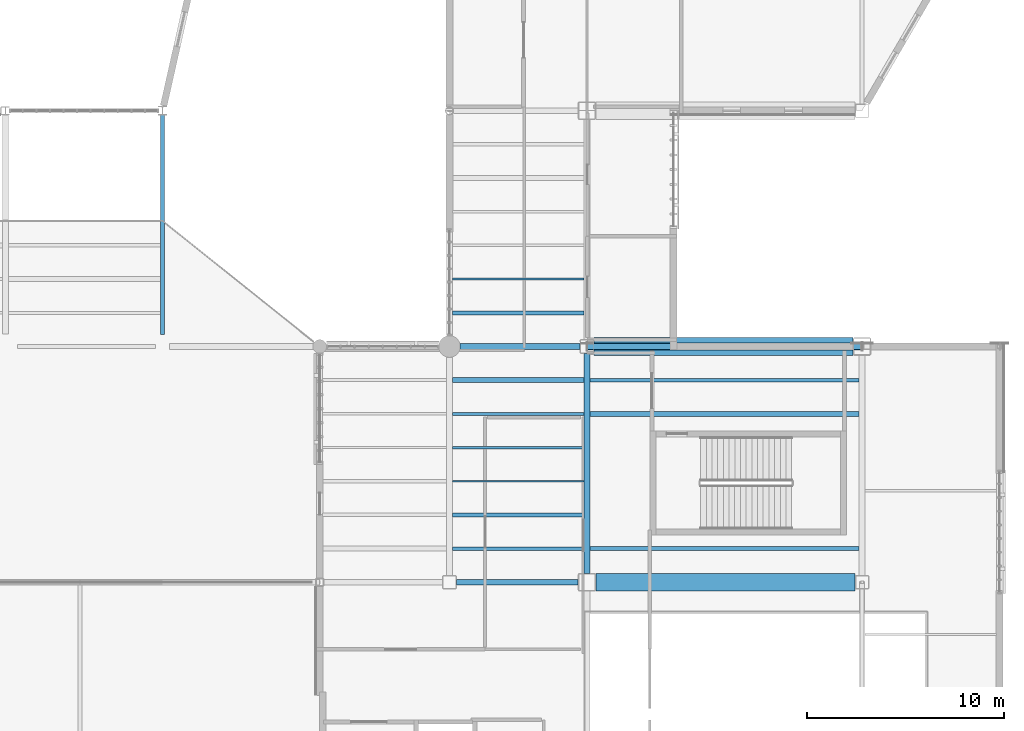
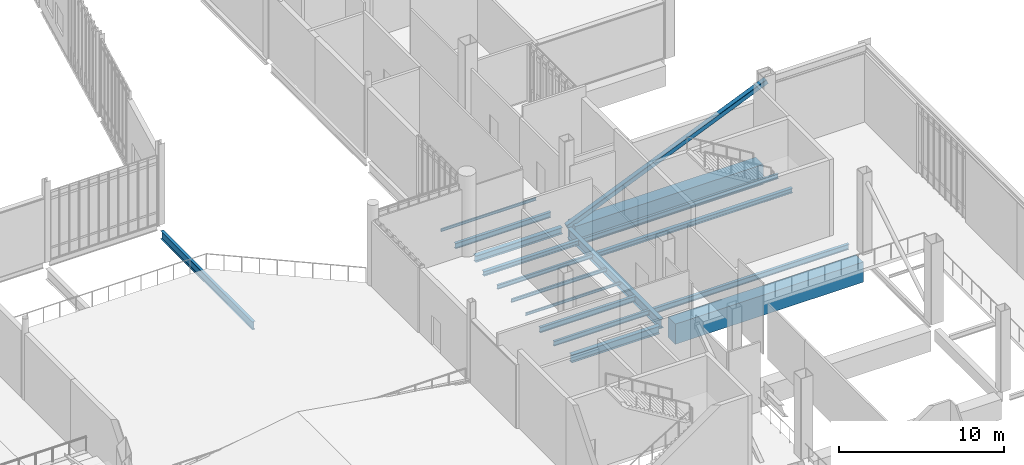
# One storey, part 23 of 135: 17 beams, 1 member.
"""IFC4 building model written with IfcOpenShell, lengths in metres."""

from ifc_helpers import new_model, si_unit, direction, frame, origin, origin_2d, place, context, subcontext, project, spatial, rectangle, hollow_rectangle, i_section, extrude, material, material_profile, profile_set, type_object, element, save


model = new_model("IFC4")

# Units and contexts
model_context = context("Model", 3, precision=1e-05, world=origin(), true_north=direction((0.0, 1.0)))
body_context = subcontext(model_context, "Body", "Model", "MODEL_VIEW")
ifc_project = project(units=[si_unit("LENGTHUNIT", "METRE"), si_unit("AREAUNIT", "SQUARE_METRE"), si_unit("VOLUMEUNIT", "CUBIC_METRE"), si_unit("PLANEANGLEUNIT", "RADIAN"), si_unit("MASSUNIT", "GRAM", prefix="KILO")], contexts=[model_context])

# Site, building, storey
site_placement = place(None, origin())
site = spatial("IfcSite", under=ifc_project, at=site_placement, CompositionType="ELEMENT")
building_placement = place(site_placement, origin())
building = spatial("IfcBuilding", under=site, at=building_placement, Name="Larkvane Passage Sports Hall", CompositionType="ELEMENT")
storey_placement = place(building_placement, frame((0.0, 0.0, 10.800048828125)))
storey = spatial("IfcBuildingStorey", under=building, at=storey_placement, Name="L02", CompositionType="ELEMENT", Elevation=10.800048828125)

# Beams
ifc_material_1 = material(Name="Steel S355JR", Category="steel")
ifc_material_profile_1 = material_profile(ifc_material_1, i_section(OverallWidth=0.300048828125, OverallDepth=0.488037109375, WebThickness=0.010986328125, FlangeThickness=0.01806640625, FilletRadius=0.02197265625, at=origin_2d()), Name="H-488x300x11x18")
ifc_profile_set_1 = profile_set([ifc_material_profile_1], Name="Steel S355JR")
beam_type_1 = type_object("IfcBeamType", Name="BM-STL-H488", PredefinedType="BEAM", material=ifc_profile_set_1)
beam_1_placement = place(storey_placement, frame((125.14990234375, 51.60009765625, -0.6640625), z_axis=(1.0, 0.0, 0.0), x_axis=(0.0, 1.0, 0.0)))
element("IfcBeam", 1, at=beam_1_placement, inside=storey, type_object=beam_type_1, Name="Girder BM5-X-L02-G-0706", PredefinedType="BEAM", context=body_context, shape_type="SweptSolid", body=[
    extrude(i_section(OverallWidth=0.300048828125, OverallDepth=0.488037109375, WebThickness=0.010986328125, FlangeThickness=0.01806640625, FilletRadius=0.02197265625, at=origin_2d()), origin(), (0.0, 0.0, 1.0), 6.10009765625),
])
ifc_material_2 = material(Name="Steel S460N", Category="steel")
ifc_material_profile_2 = material_profile(ifc_material_2, i_section(OverallWidth=0.300048828125, OverallDepth=0.58203125, WebThickness=0.011962890625, FlangeThickness=0.01708984375, FilletRadius=0.02197265625, at=origin_2d()), Name="H-582x300x12x17")
ifc_profile_set_2 = profile_set([ifc_material_profile_2], Name="Steel S460N")
beam_type_2 = type_object("IfcBeamType", Name="BM-STL-H582", PredefinedType="BEAM", material=ifc_profile_set_2)
beam_2_placement = place(storey_placement, frame((124.949951171875, 39.60009765625, -0.7109375), z_axis=(1.0, 0.0, 0.0), x_axis=(0.0, 1.0, 0.0)))
element("IfcBeam", 2, at=beam_2_placement, inside=storey, type_object=beam_type_2, Name="Girder BM5-X-L02-F-0694", PredefinedType="BEAM", context=body_context, shape_type="SweptSolid", body=[
    extrude(i_section(OverallWidth=0.300048828125, OverallDepth=0.58203125, WebThickness=0.011962890625, FlangeThickness=0.01708984375, FilletRadius=0.02197265625, at=origin_2d()), origin(), (0.0, 0.0, 1.0), 6.199951171875),
])
ifc_material_profile_3 = material_profile(ifc_material_1, i_section(OverallWidth=0.199951171875, OverallDepth=0.60009765625, WebThickness=0.010986328125, FlangeThickness=0.01708984375, FilletRadius=0.01806640625, at=origin_2d()), Name="H-600x200x11x17")
ifc_profile_set_3 = profile_set([ifc_material_profile_3], Name="Steel S355JR")
beam_type_3 = type_object("IfcBeamType", Name="BM-STL-H600", PredefinedType="BEAM", material=ifc_profile_set_3)
beam_3_placement = place(storey_placement, frame((110.0, 52.199951171875, -0.719970703125), z_axis=(0.0, 1.0, 0.0), x_axis=(-1.0, 0.0, 0.0)))
element("IfcBeam", 3, at=beam_3_placement, inside=storey, type_object=beam_type_3, Name="Girder BM5-Y-L02-15-0777", PredefinedType="BEAM", context=body_context, shape_type="SweptSolid", body=[
    extrude(i_section(OverallWidth=0.199951171875, OverallDepth=0.60009765625, WebThickness=0.010986328125, FlangeThickness=0.01708984375, FilletRadius=0.01806640625, at=origin_2d()), origin(), (0.0, 0.0, 1.0), 11.171142578125),
])
ifc_material_profile_4 = material_profile(ifc_material_2, i_section(OverallWidth=0.300048828125, OverallDepth=0.699951171875, WebThickness=0.012939453125, FlangeThickness=0.02392578125, FilletRadius=0.02197265625, at=origin_2d()), Name="H-700x300x13x24")
ifc_profile_set_4 = profile_set([ifc_material_profile_4], Name="Steel S460N")
beam_type_4 = type_object("IfcBeamType", Name="BM-STL-H700", PredefinedType="BEAM", material=ifc_profile_set_4)
beam_4_placement = place(storey_placement, frame((131.60009765625, 40.050048828125, -0.77001953125), z_axis=(0.0, 1.0, 0.0), x_axis=(-1.0, 0.0, 0.0)))
element("IfcBeam", 4, at=beam_4_placement, inside=storey, type_object=beam_type_4, Name="Girder BM5-Y-L02-18-0787", PredefinedType="BEAM", context=body_context, shape_type="SweptSolid", body=[
    extrude(i_section(OverallWidth=0.300048828125, OverallDepth=0.699951171875, WebThickness=0.012939453125, FlangeThickness=0.02392578125, FilletRadius=0.02197265625, at=origin_2d()), origin(), (0.0, 0.0, 1.0), 11.199951171875),
])
ifc_material_profile_5 = material_profile(ifc_material_1, i_section(OverallWidth=0.10009765625, OverallDepth=0.199951171875, WebThickness=0.005615234375, FlangeThickness=0.008056640625, FilletRadius=0.008056640625, at=origin_2d()), Name="H-200x100x5.5x8")
ifc_profile_set_5 = profile_set([ifc_material_profile_5], Name="Steel S355JR")
beam_type_5 = type_object("IfcBeamType", Name="JST-STL-H200", PredefinedType="JOIST", material=ifc_profile_set_5)
for number, where, z_axis, x_axis, name in (
    (5, (124.75, 44.742919921875, -0.52001953125), (1.0, 0.0, 0.0), (0.0, 1.0, 0.0), "Composite joist L02 17/F-3"),
    (6, (124.75, 55.028564453125, -0.52001953125), (1.0, 0.0, 0.0), (0.0, 1.0, 0.0), "Composite joist L02 17/G-2"),
):
    element("IfcBeam", number, at=place(storey_placement, frame(where, z_axis=z_axis, x_axis=x_axis)), inside=storey, type_object=beam_type_5, Name=name, PredefinedType="JOIST", context=body_context, shape_type="SweptSolid", body=[
        extrude(i_section(OverallWidth=0.10009765625, OverallDepth=0.199951171875, WebThickness=0.005615234375, FlangeThickness=0.008056640625, FilletRadius=0.008056640625, at=origin_2d()), origin(), (0.0, 0.0, 1.0), 6.699951171875),
    ])
ifc_material_profile_6 = material_profile(ifc_material_1, i_section(OverallWidth=0.125, OverallDepth=0.25, WebThickness=0.006103515625, FlangeThickness=0.009033203125, FilletRadius=0.008056640625, at=origin_2d()), Name="H-250x125x6x9")
ifc_profile_set_6 = profile_set([ifc_material_profile_6], Name="Steel S355JR")
beam_type_6 = type_object("IfcBeamType", Name="JST-STL-H250", PredefinedType="JOIST", material=ifc_profile_set_6)
beam_5_placement = place(storey_placement, frame((124.75, 46.45703125, -0.545166015625), z_axis=(1.0, 0.0, 0.0), x_axis=(0.0, 1.0, 0.0)))
element("IfcBeam", 7, at=beam_5_placement, inside=storey, type_object=beam_type_6, Name="Composite joist L02 17/F-4", PredefinedType="JOIST", context=body_context, shape_type="SweptSolid", body=[
    extrude(i_section(OverallWidth=0.125, OverallDepth=0.25, WebThickness=0.006103515625, FlangeThickness=0.009033203125, FilletRadius=0.008056640625, at=origin_2d()), origin(), (0.0, 0.0, 1.0), 6.699951171875),
])
ifc_material_profile_7 = material_profile(ifc_material_1, i_section(OverallWidth=0.14990234375, OverallDepth=0.300048828125, WebThickness=0.006591796875, FlangeThickness=0.009033203125, FilletRadius=0.012939453125, at=origin_2d()), Name="H-300x150x6.5x9")
ifc_profile_set_7 = profile_set([ifc_material_profile_7], Name="Steel S355JR")
beam_type_7 = type_object("IfcBeamType", Name="JST-STL-H300", PredefinedType="JOIST", material=ifc_profile_set_7)
beam_6_placement = place(storey_placement, frame((124.75, 48.17138671875, -0.570068359375), z_axis=(1.0, 0.0, 0.0), x_axis=(0.0, 1.0, 0.0)))
element("IfcBeam", 8, at=beam_6_placement, inside=storey, type_object=beam_type_7, Name="Composite joist L02 17/F-5", PredefinedType="JOIST", context=body_context, shape_type="SweptSolid", body=[
    extrude(i_section(OverallWidth=0.14990234375, OverallDepth=0.300048828125, WebThickness=0.006591796875, FlangeThickness=0.009033203125, FilletRadius=0.012939453125, at=origin_2d()), origin(), (0.0, 0.0, 1.0), 6.699951171875),
])
ifc_material_profile_8 = material_profile(ifc_material_1, i_section(OverallWidth=0.25, OverallDepth=0.340087890625, WebThickness=0.009033203125, FlangeThickness=0.013916015625, FilletRadius=0.012939453125, at=origin_2d()), Name="H-340x250x9x14")
ifc_profile_set_8 = profile_set([ifc_material_profile_8], Name="Steel S355JR")
beam_type_8 = type_object("IfcBeamType", Name="JST-STL-H340", PredefinedType="JOIST", material=ifc_profile_set_8)
beam_7_placement = place(storey_placement, frame((124.75, 49.8857421875, -0.590087890625), z_axis=(1.0, 0.0, 0.0), x_axis=(0.0, 1.0, 0.0)))
element("IfcBeam", 9, at=beam_7_placement, inside=storey, type_object=beam_type_8, Name="Composite joist L02 17/F-6", PredefinedType="JOIST", context=body_context, shape_type="SweptSolid", body=[
    extrude(i_section(OverallWidth=0.25, OverallDepth=0.340087890625, WebThickness=0.009033203125, FlangeThickness=0.013916015625, FilletRadius=0.012939453125, at=origin_2d()), origin(), (0.0, 0.0, 1.0), 6.699951171875),
])
beam_8_placement = place(storey_placement, frame((131.75, 48.17138671875, -0.590087890625), z_axis=(1.0, 0.0, 0.0), x_axis=(0.0, 1.0, 0.0)))
element("IfcBeam", 10, at=beam_8_placement, inside=storey, type_object=beam_type_8, Name="Composite joist L02 18/F-5", PredefinedType="JOIST", context=body_context, shape_type="SweptSolid", body=[
    extrude(i_section(OverallWidth=0.25, OverallDepth=0.340087890625, WebThickness=0.009033203125, FlangeThickness=0.013916015625, FilletRadius=0.012939453125, at=origin_2d()), origin(), (0.0, 0.0, 1.0), 13.699951171875),
])
ifc_material_profile_9 = material_profile(ifc_material_1, i_section(OverallWidth=0.175048828125, OverallDepth=0.35009765625, WebThickness=0.007080078125, FlangeThickness=0.010986328125, FilletRadius=0.012939453125, at=origin_2d()), Name="H-350x175x7x11")
ifc_profile_set_9 = profile_set([ifc_material_profile_9], Name="Steel S355JR")
beam_type_9 = type_object("IfcBeamType", Name="JST-STL-H350", PredefinedType="JOIST", material=ifc_profile_set_9)
beam_9_placement = place(storey_placement, frame((124.75, 41.314208984375, -0.594970703125), z_axis=(1.0, 0.0, 0.0), x_axis=(0.0, 1.0, 0.0)))
element("IfcBeam", 11, at=beam_9_placement, inside=storey, type_object=beam_type_9, Name="Composite joist L02 17/F-1", PredefinedType="JOIST", context=body_context, shape_type="SweptSolid", body=[
    extrude(i_section(OverallWidth=0.175048828125, OverallDepth=0.35009765625, WebThickness=0.007080078125, FlangeThickness=0.010986328125, FilletRadius=0.012939453125, at=origin_2d()), origin(), (0.0, 0.0, 1.0), 6.699951171875),
])
beam_10_placement = place(storey_placement, frame((131.75, 49.8857421875, -0.594970703125), z_axis=(1.0, 0.0, 0.0), x_axis=(0.0, 1.0, 0.0)))
element("IfcBeam", 12, at=beam_10_placement, inside=storey, type_object=beam_type_9, Name="Composite joist L02 18/F-6", PredefinedType="JOIST", context=body_context, shape_type="SweptSolid", body=[
    extrude(i_section(OverallWidth=0.175048828125, OverallDepth=0.35009765625, WebThickness=0.007080078125, FlangeThickness=0.010986328125, FilletRadius=0.012939453125, at=origin_2d()), origin(), (0.0, 0.0, 1.0), 13.699951171875),
])
ifc_material_profile_10 = material_profile(ifc_material_1, i_section(OverallWidth=0.199951171875, OverallDepth=0.39990234375, WebThickness=0.008056640625, FlangeThickness=0.012939453125, FilletRadius=0.012939453125, at=origin_2d()), Name="H-400x200x8x13")
ifc_profile_set_10 = profile_set([ifc_material_profile_10], Name="Steel S355JR")
beam_type_10 = type_object("IfcBeamType", Name="JST-STL-H400", PredefinedType="JOIST", material=ifc_profile_set_10)
for number, where, z_axis, x_axis, name in (
    (13, (124.75, 43.028564453125, -0.6201171875), (1.0, 0.0, 0.0), (0.0, 1.0, 0.0), "Composite joist L02 17/F-2"),
    (14, (124.75, 53.314208984375, -0.6201171875), (1.0, 0.0, 0.0), (0.0, 1.0, 0.0), "Composite joist L02 17/G-1"),
):
    element("IfcBeam", number, at=place(storey_placement, frame(where, z_axis=z_axis, x_axis=x_axis)), inside=storey, type_object=beam_type_10, Name=name, PredefinedType="JOIST", context=body_context, shape_type="SweptSolid", body=[
        extrude(i_section(OverallWidth=0.199951171875, OverallDepth=0.39990234375, WebThickness=0.008056640625, FlangeThickness=0.012939453125, FilletRadius=0.012939453125, at=origin_2d()), origin(), (0.0, 0.0, 1.0), 6.699951171875),
    ])
beam_11_placement = place(storey_placement, frame((131.75, 41.314208984375, -0.6201171875), z_axis=(1.0, 0.0, 0.0), x_axis=(0.0, 1.0, 0.0)))
element("IfcBeam", 15, at=beam_11_placement, inside=storey, type_object=beam_type_10, Name="Composite joist L02 18/F-1", PredefinedType="JOIST", context=body_context, shape_type="SweptSolid", body=[
    extrude(i_section(OverallWidth=0.199951171875, OverallDepth=0.39990234375, WebThickness=0.008056640625, FlangeThickness=0.012939453125, FilletRadius=0.012939453125, at=origin_2d()), origin(), (0.0, 0.0, 1.0), 13.699951171875),
])

# Member
ifc_material_profile_11 = material_profile(ifc_material_2, hollow_rectangle(XDim=0.35009765625, YDim=0.35009765625, WallThickness=0.01611328125, InnerFilletRadius=0.01611328125, OuterFilletRadius=0.031982421875, at=origin_2d()), Name="SHS-350x350x16")
ifc_profile_set_11 = profile_set([ifc_material_profile_11], Name="Steel S460N")
member_type = type_object("IfcMemberType", Name="MBR-BR-SHS350", PredefinedType="BRACE", material=ifc_profile_set_11)
member_placement = place(storey_placement, frame((131.60009765625, 51.60009765625, -0.5439453125), z_axis=(0.920805387112, 0.0, 0.390022357135), x_axis=(0.0, 1.0, 0.0)))
element("IfcMember", 16, at=member_placement, inside=storey, type_object=member_type, Name="Cantilever truss CT-E2A-2 web diagonal 1", PredefinedType="BRACE", context=body_context, shape_type="SweptSolid", body=[
    extrude(hollow_rectangle(XDim=0.35009765625, YDim=0.35009765625, WallThickness=0.01611328125, InnerFilletRadius=0.01611328125, OuterFilletRadius=0.031982421875, at=origin_2d()), origin(), (0.0, 0.0, 1.0), 15.2041015625),
])

# Beams
ifc_material_3 = material(Name="Concrete C50/60", Category="concrete")
ifc_material_profile_12 = material_profile(ifc_material_3, rectangle(XDim=0.89990234375, YDim=1.5, at=origin_2d()), Name="PT-GIR-900x1500")
ifc_profile_set_12 = profile_set([ifc_material_profile_12], Name="Concrete C50/60")
beam_type_11 = type_object("IfcBeamType", Name="PTG-900x1500", PredefinedType="BEAM", material=ifc_profile_set_12)
for number, where, z_axis, x_axis, name in (
    (17, (132.050048828125, 39.60009765625, -1.170166015625), (1.0, 0.0, 0.0), (0.0, 1.0, 0.0), "Post-tensioned transfer girder BM5-X-L02-F-0695"),
    (18, (131.949951171875, 51.60009765625, -1.170166015625), (1.0, 0.0, 0.0), (0.0, 1.0, 0.0), "Post-tensioned transfer girder BM5-X-L02-G-0707"),
):
    element("IfcBeam", number, at=place(storey_placement, frame(where, z_axis=z_axis, x_axis=x_axis)), inside=storey, type_object=beam_type_11, Name=name, PredefinedType="BEAM", context=body_context, shape_type="SweptSolid", body=[
        extrude(rectangle(XDim=0.89990234375, YDim=1.5, at=origin_2d()), origin(), (0.0, 0.0, 1.0), 13.199951171875),
    ])

save(model, "model.ifc")
